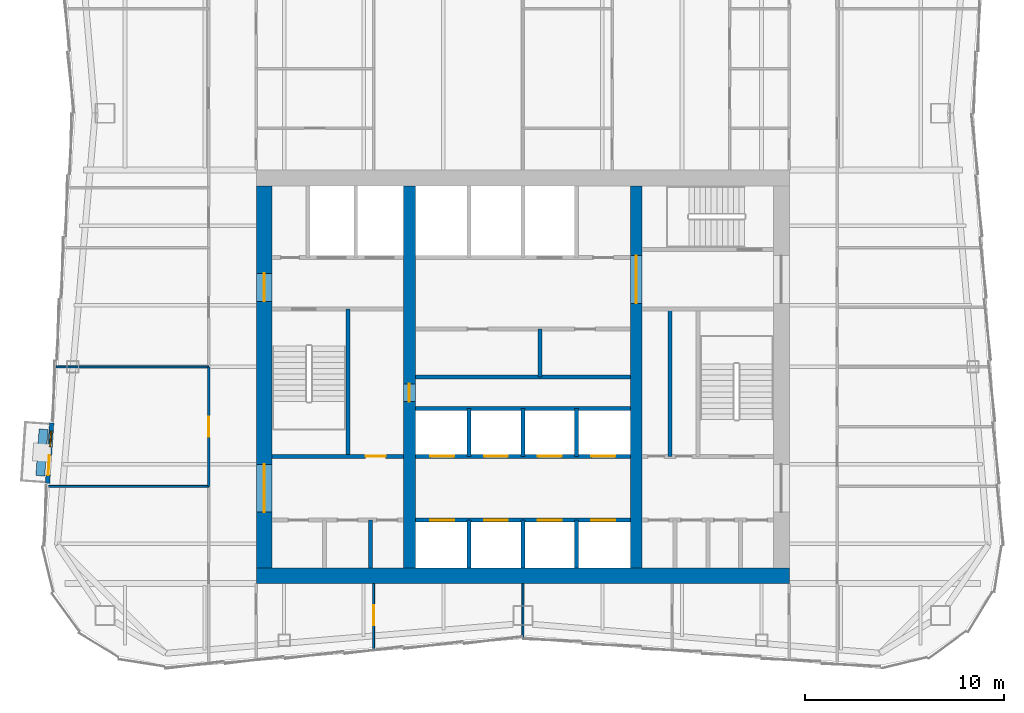
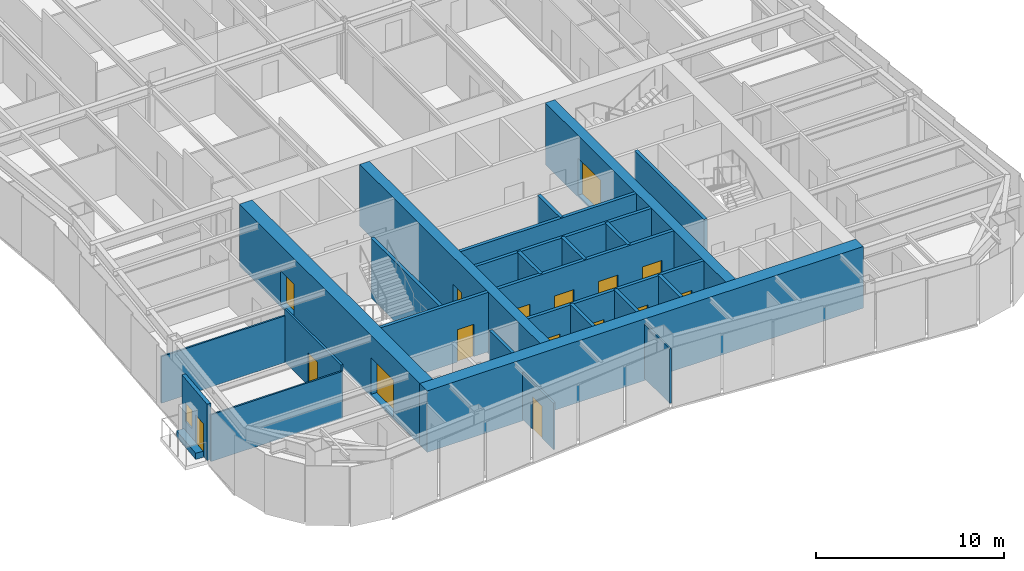
# One storey, part 6 of 12: 26 walls, 16 doors, 1 window, 17 openings.
"""IFC4 building model written with IfcOpenShell, lengths in metres."""

from ifc_helpers import new_model, si_unit, direction, frame, frame_2d, origin, place, context, subcontext, project, spatial, rectangle, extrude, material, layer, layer_set, type_object, element, fill, save


model = new_model("IFC4")

# Units and contexts
model_context = context("Model", 3, precision=1e-05, world=origin(), true_north=direction((0.0, 1.0)))
body_context = subcontext(model_context, "Body", "Model", "MODEL_VIEW")
ifc_project = project(units=[si_unit("LENGTHUNIT", "METRE"), si_unit("AREAUNIT", "SQUARE_METRE"), si_unit("VOLUMEUNIT", "CUBIC_METRE"), si_unit("PLANEANGLEUNIT", "RADIAN"), si_unit("MASSUNIT", "GRAM", prefix="KILO")], contexts=[model_context])

# Site, building, storey
site_placement = place(None, origin())
site = spatial("IfcSite", under=ifc_project, at=site_placement, CompositionType="ELEMENT")
building_placement = place(site_placement, origin())
building = spatial("IfcBuilding", under=site, at=building_placement, Name="Verdant Reach Tower", CompositionType="ELEMENT")
storey_placement = place(building_placement, frame((0.0, 0.0, 270.0)))
storey = spatial("IfcBuildingStorey", under=building, at=storey_placement, Name="L62", CompositionType="ELEMENT", Elevation=270.0)

# Walls
ifc_material_1 = material(Name="Gypsum board on steel studs", Category="steel")
ifc_layer_1 = layer(ifc_material_1, 0.199951171875)
ifc_layer_set_1 = layer_set([ifc_layer_1], Name="CO-WALL-ROOM")
wall_type_1 = type_object("IfcWallType", Name="CO-WALL-ROOM", PredefinedType="PARTITIONING", material=ifc_layer_set_1)
wall_1_placement = place(storey_placement, frame((-5.39990234375, 28.0, 0.0), z_axis=(0.0, 0.0, 1.0), x_axis=(1.0, 0.0, 0.0)))
element("IfcWall", 1, at=wall_1_placement, inside=storey, type_object=wall_type_1, Name="Core partition, L62", PredefinedType="PARTITIONING", context=body_context, shape_type="SweptSolid", body=[
    extrude(rectangle(XDim=10.7998046875, YDim=0.199951171875, at=frame_2d((5.39990234375, 0.0))), origin(), (0.0, 0.0, 1.0), 3.8701171875),
])
wall_2_placement = place(storey_placement, frame((-7.64990234375, 18.39990234375, 0.0), z_axis=(0.0, 0.0, 1.0), x_axis=(0.0, 1.0, 0.0)))
element("IfcWall", 2, at=wall_2_placement, inside=storey, type_object=wall_type_1, Name="Core partition, L62", PredefinedType="PARTITIONING", context=body_context, shape_type="SweptSolid", body=[
    extrude(rectangle(XDim=2.400146484375, YDim=0.199951171875, at=frame_2d((1.2001953125, 0.0))), origin(), (0.0, 0.0, 1.0), 3.8701171875),
])
wall_3_placement = place(storey_placement, frame((0.864013671875, 28.0, 0.0), z_axis=(0.0, 0.0, 1.0), x_axis=(0.0, 1.0, 0.0)))
element("IfcWall", 3, at=wall_3_placement, inside=storey, type_object=wall_type_1, Name="Core partition, L62", PredefinedType="PARTITIONING", context=body_context, shape_type="SweptSolid", body=[
    extrude(rectangle(XDim=2.39990234375, YDim=0.199951171875, at=frame_2d((1.199951171875, 0.0))), origin(), (0.0, 0.0, 1.0), 3.8701171875),
])
wall_4_placement = place(storey_placement, frame((7.39990234375, 24.0, 0.0), z_axis=(0.0, 0.0, 1.0), x_axis=(0.0, 1.0, 0.0)))
element("IfcWall", 4, at=wall_4_placement, inside=storey, type_object=wall_type_1, Name="Core partition, L62", PredefinedType="PARTITIONING", context=body_context, shape_type="SweptSolid", body=[
    extrude(rectangle(XDim=7.39990234375, YDim=0.199951171875, at=frame_2d((3.699951171875, 0.0))), origin(), (0.0, 0.0, 1.0), 3.8701171875),
])

# Wall, openings, doors
ifc_material_2 = material(Name="Concrete C40/50", Category="concrete")
ifc_layer_2 = layer(ifc_material_2, 0.199951171875)
ifc_layer_set_2 = layer_set([ifc_layer_2], Name="CO-WALL-SHAFT")
wall_type_2 = type_object("IfcWallType", Name="CO-WALL-SHAFT", PredefinedType="PARTITIONING", material=ifc_layer_set_2)
wall_5_placement = place(storey_placement, frame((-5.39990234375, 20.800048828125, 0.0), z_axis=(0.0, 0.0, 1.0), x_axis=(1.0, 0.0, 0.0)))
wall_5 = element("IfcWall", 5, at=wall_5_placement, inside=storey, type_object=wall_type_2, Name="Lift shaft wall, L62", PredefinedType="PARTITIONING", context=body_context, shape_type="SweptSolid", body=[
    extrude(rectangle(XDim=10.7998046875, YDim=0.199951171875, at=frame_2d((5.39990234375, 0.0))), origin(), (0.0, 0.0, 1.0), 3.8701171875),
])
opening_1_placement = place(wall_5_placement, frame((0.75, 0.0, 0.0)))
opening_1 = element("IfcOpeningElement", 6, at=opening_1_placement, cuts=wall_5, Name="Opening LD-B1", PredefinedType="OPENING", context=body_context, shape_type="SweptSolid", body=[
    extrude(rectangle(XDim=1.199951171875, YDim=2.199951171875, at=frame_2d((0.60009765625, 1.10009765625))), frame((0.0, 0.10986328125, 0.0), z_axis=(0.0, -1.0, 0.0), x_axis=(1.0, 0.0, 0.0)), (0.0, 0.0, 1.0), 0.219970703125),
])
opening_2_placement = place(wall_5_placement, frame((3.449951171875, 0.0, 0.0)))
opening_2 = element("IfcOpeningElement", 7, at=opening_2_placement, cuts=wall_5, Name="Opening LD-B2", PredefinedType="OPENING", context=body_context, shape_type="SweptSolid", body=[
    extrude(rectangle(XDim=1.199951171875, YDim=2.199951171875, at=frame_2d((0.60009765625, 1.10009765625))), frame((0.0, 0.10986328125, 0.0), z_axis=(0.0, -1.0, 0.0), x_axis=(1.0, 0.0, 0.0)), (0.0, 0.0, 1.0), 0.219970703125),
])
opening_3_placement = place(wall_5_placement, frame((6.14990234375, 0.0, 0.0)))
opening_3 = element("IfcOpeningElement", 8, at=opening_3_placement, cuts=wall_5, Name="Opening LD-B3", PredefinedType="OPENING", context=body_context, shape_type="SweptSolid", body=[
    extrude(rectangle(XDim=1.199951171875, YDim=2.199951171875, at=frame_2d((0.60009765625, 1.10009765625))), frame((0.0, 0.10986328125, 0.0), z_axis=(0.0, -1.0, 0.0), x_axis=(1.0, 0.0, 0.0)), (0.0, 0.0, 1.0), 0.219970703125),
])
opening_4_placement = place(wall_5_placement, frame((8.85009765625, 0.0, 0.0)))
opening_4 = element("IfcOpeningElement", 9, at=opening_4_placement, cuts=wall_5, Name="Opening LD-B4", PredefinedType="OPENING", context=body_context, shape_type="SweptSolid", body=[
    extrude(rectangle(XDim=1.199951171875, YDim=2.199951171875, at=frame_2d((0.60009765625, 1.10009765625))), frame((0.0, 0.10986328125, 0.0), z_axis=(0.0, -1.0, 0.0), x_axis=(1.0, 0.0, 0.0)), (0.0, 0.0, 1.0), 0.219970703125),
])
ifc_material_3 = material(Name="Stainless steel", Category="steel")
door_type_1 = type_object("IfcDoorType", Name="CO-DOOR-LANDING", OperationType="SLIDING_TO_LEFT", PredefinedType="DOOR", material=ifc_material_3)
door_1_placement = place(opening_1_placement, origin())
door_1 = element("IfcDoor", 10, at=door_1_placement, inside=storey, type_object=door_type_1, Name="Landing door B1, L62", OperationType="SLIDING_TO_LEFT", OverallHeight=2.199951171875, OverallWidth=1.199951171875, PredefinedType="DOOR", context=body_context, shape_type="SweptSolid", body=[
    extrude(rectangle(XDim=1.199951171875, YDim=2.199951171875, at=frame_2d((0.60009765625, 1.10009765625))), frame((0.0, 0.02490234375, 0.0), z_axis=(0.0, -1.0, 0.0), x_axis=(1.0, 0.0, 0.0)), (0.0, 0.0, 1.0), 0.050048828125),
])
fill(opening_1, door_1)
door_2_placement = place(opening_2_placement, origin())
door_2 = element("IfcDoor", 11, at=door_2_placement, inside=storey, type_object=door_type_1, Name="Landing door B2, L62", OperationType="SLIDING_TO_LEFT", OverallHeight=2.199951171875, OverallWidth=1.199951171875, PredefinedType="DOOR", context=body_context, shape_type="SweptSolid", body=[
    extrude(rectangle(XDim=1.199951171875, YDim=2.199951171875, at=frame_2d((0.60009765625, 1.10009765625))), frame((0.0, 0.02490234375, 0.0), z_axis=(0.0, -1.0, 0.0), x_axis=(1.0, 0.0, 0.0)), (0.0, 0.0, 1.0), 0.050048828125),
])
fill(opening_2, door_2)
door_3_placement = place(opening_3_placement, origin())
door_3 = element("IfcDoor", 12, at=door_3_placement, inside=storey, type_object=door_type_1, Name="Landing door B3, L62", OperationType="SLIDING_TO_LEFT", OverallHeight=2.199951171875, OverallWidth=1.199951171875, PredefinedType="DOOR", context=body_context, shape_type="SweptSolid", body=[
    extrude(rectangle(XDim=1.199951171875, YDim=2.199951171875, at=frame_2d((0.60009765625, 1.10009765625))), frame((0.0, 0.02490234375, 0.0), z_axis=(0.0, -1.0, 0.0), x_axis=(1.0, 0.0, 0.0)), (0.0, 0.0, 1.0), 0.050048828125),
])
fill(opening_3, door_3)
door_4_placement = place(opening_4_placement, origin())
door_4 = element("IfcDoor", 13, at=door_4_placement, inside=storey, type_object=door_type_1, Name="Landing door B4, L62", OperationType="SLIDING_TO_LEFT", OverallHeight=2.199951171875, OverallWidth=1.199951171875, PredefinedType="DOOR", context=body_context, shape_type="SweptSolid", body=[
    extrude(rectangle(XDim=1.199951171875, YDim=2.199951171875, at=frame_2d((0.60009765625, 1.10009765625))), frame((0.0, 0.02490234375, 0.0), z_axis=(0.0, -1.0, 0.0), x_axis=(1.0, 0.0, 0.0)), (0.0, 0.0, 1.0), 0.050048828125),
])
fill(opening_4, door_4)

wall_6_placement = place(storey_placement, frame((-5.39990234375, 24.0, 0.0), z_axis=(0.0, 0.0, 1.0), x_axis=(1.0, 0.0, 0.0)))
wall_6 = element("IfcWall", 14, at=wall_6_placement, inside=storey, type_object=wall_type_2, Name="Lift shaft wall, L62", PredefinedType="PARTITIONING", context=body_context, shape_type="SweptSolid", body=[
    extrude(rectangle(XDim=10.7998046875, YDim=0.199951171875, at=frame_2d((5.39990234375, 0.0))), origin(), (0.0, 0.0, 1.0), 3.8701171875),
])
opening_5_placement = place(wall_6_placement, frame((0.75, 0.0, 0.0)))
opening_5 = element("IfcOpeningElement", 15, at=opening_5_placement, cuts=wall_6, Name="Opening LD-A5", PredefinedType="OPENING", context=body_context, shape_type="SweptSolid", body=[
    extrude(rectangle(XDim=1.199951171875, YDim=2.199951171875, at=frame_2d((0.60009765625, 1.10009765625))), frame((0.0, 0.10986328125, 0.0), z_axis=(0.0, -1.0, 0.0), x_axis=(1.0, 0.0, 0.0)), (0.0, 0.0, 1.0), 0.219970703125),
])
opening_6_placement = place(wall_6_placement, frame((3.449951171875, 0.0, 0.0)))
opening_6 = element("IfcOpeningElement", 16, at=opening_6_placement, cuts=wall_6, Name="Opening LD-A6", PredefinedType="OPENING", context=body_context, shape_type="SweptSolid", body=[
    extrude(rectangle(XDim=1.199951171875, YDim=2.199951171875, at=frame_2d((0.60009765625, 1.10009765625))), frame((0.0, 0.10986328125, 0.0), z_axis=(0.0, -1.0, 0.0), x_axis=(1.0, 0.0, 0.0)), (0.0, 0.0, 1.0), 0.219970703125),
])
opening_7_placement = place(wall_6_placement, frame((6.14990234375, 0.0, 0.0)))
opening_7 = element("IfcOpeningElement", 17, at=opening_7_placement, cuts=wall_6, Name="Opening LD-A7", PredefinedType="OPENING", context=body_context, shape_type="SweptSolid", body=[
    extrude(rectangle(XDim=1.199951171875, YDim=2.199951171875, at=frame_2d((0.60009765625, 1.10009765625))), frame((0.0, 0.10986328125, 0.0), z_axis=(0.0, -1.0, 0.0), x_axis=(1.0, 0.0, 0.0)), (0.0, 0.0, 1.0), 0.219970703125),
])
opening_8_placement = place(wall_6_placement, frame((8.85009765625, 0.0, 0.0)))
opening_8 = element("IfcOpeningElement", 18, at=opening_8_placement, cuts=wall_6, Name="Opening LD-A8", PredefinedType="OPENING", context=body_context, shape_type="SweptSolid", body=[
    extrude(rectangle(XDim=1.199951171875, YDim=2.199951171875, at=frame_2d((0.60009765625, 1.10009765625))), frame((0.0, 0.10986328125, 0.0), z_axis=(0.0, -1.0, 0.0), x_axis=(1.0, 0.0, 0.0)), (0.0, 0.0, 1.0), 0.219970703125),
])
door_5_placement = place(opening_5_placement, origin())
door_5 = element("IfcDoor", 19, at=door_5_placement, inside=storey, type_object=door_type_1, Name="Landing door A5, L62", OperationType="SLIDING_TO_LEFT", OverallHeight=2.199951171875, OverallWidth=1.199951171875, PredefinedType="DOOR", context=body_context, shape_type="SweptSolid", body=[
    extrude(rectangle(XDim=1.199951171875, YDim=2.199951171875, at=frame_2d((0.60009765625, 1.10009765625))), frame((0.0, 0.02490234375, 0.0), z_axis=(0.0, -1.0, 0.0), x_axis=(1.0, 0.0, 0.0)), (0.0, 0.0, 1.0), 0.050048828125),
])
fill(opening_5, door_5)
door_6_placement = place(opening_6_placement, origin())
door_6 = element("IfcDoor", 20, at=door_6_placement, inside=storey, type_object=door_type_1, Name="Landing door A6, L62", OperationType="SLIDING_TO_LEFT", OverallHeight=2.199951171875, OverallWidth=1.199951171875, PredefinedType="DOOR", context=body_context, shape_type="SweptSolid", body=[
    extrude(rectangle(XDim=1.199951171875, YDim=2.199951171875, at=frame_2d((0.60009765625, 1.10009765625))), frame((0.0, 0.02490234375, 0.0), z_axis=(0.0, -1.0, 0.0), x_axis=(1.0, 0.0, 0.0)), (0.0, 0.0, 1.0), 0.050048828125),
])
fill(opening_6, door_6)
door_7_placement = place(opening_7_placement, origin())
door_7 = element("IfcDoor", 21, at=door_7_placement, inside=storey, type_object=door_type_1, Name="Landing door A7, L62", OperationType="SLIDING_TO_LEFT", OverallHeight=2.199951171875, OverallWidth=1.199951171875, PredefinedType="DOOR", context=body_context, shape_type="SweptSolid", body=[
    extrude(rectangle(XDim=1.199951171875, YDim=2.199951171875, at=frame_2d((0.60009765625, 1.10009765625))), frame((0.0, 0.02490234375, 0.0), z_axis=(0.0, -1.0, 0.0), x_axis=(1.0, 0.0, 0.0)), (0.0, 0.0, 1.0), 0.050048828125),
])
fill(opening_7, door_7)
door_8_placement = place(opening_8_placement, origin())
door_8 = element("IfcDoor", 22, at=door_8_placement, inside=storey, type_object=door_type_1, Name="Landing door A8, L62", OperationType="SLIDING_TO_LEFT", OverallHeight=2.199951171875, OverallWidth=1.199951171875, PredefinedType="DOOR", context=body_context, shape_type="SweptSolid", body=[
    extrude(rectangle(XDim=1.199951171875, YDim=2.199951171875, at=frame_2d((0.60009765625, 1.10009765625))), frame((0.0, 0.02490234375, 0.0), z_axis=(0.0, -1.0, 0.0), x_axis=(1.0, 0.0, 0.0)), (0.0, 0.0, 1.0), 0.050048828125),
])
fill(opening_8, door_8)

# Walls
wall_7_placement = place(storey_placement, frame((-5.39990234375, 26.39990234375, 0.0), z_axis=(0.0, 0.0, 1.0), x_axis=(1.0, 0.0, 0.0)))
element("IfcWall", 23, at=wall_7_placement, inside=storey, type_object=wall_type_2, Name="Lift shaft wall, L62", PredefinedType="PARTITIONING", context=body_context, shape_type="SweptSolid", body=[
    extrude(rectangle(XDim=10.7998046875, YDim=0.199951171875, at=frame_2d((5.39990234375, 0.0))), origin(), (0.0, 0.0, 1.0), 3.8701171875),
])
wall_8_placement = place(storey_placement, frame((-2.699951171875, 18.39990234375, 0.0), z_axis=(0.0, 0.0, 1.0), x_axis=(0.0, 1.0, 0.0)))
element("IfcWall", 24, at=wall_8_placement, inside=storey, type_object=wall_type_2, Name="Lift shaft wall, L62", PredefinedType="PARTITIONING", context=body_context, shape_type="SweptSolid", body=[
    extrude(rectangle(XDim=2.400146484375, YDim=0.199951171875, at=frame_2d((1.2001953125, 0.0))), origin(), (0.0, 0.0, 1.0), 3.8701171875),
])
wall_9_placement = place(storey_placement, frame((-2.699951171875, 24.0, 0.0), z_axis=(0.0, 0.0, 1.0), x_axis=(0.0, 1.0, 0.0)))
element("IfcWall", 25, at=wall_9_placement, inside=storey, type_object=wall_type_2, Name="Lift shaft wall, L62", PredefinedType="PARTITIONING", context=body_context, shape_type="SweptSolid", body=[
    extrude(rectangle(XDim=2.39990234375, YDim=0.199951171875, at=frame_2d((1.199951171875, 0.0))), origin(), (0.0, 0.0, 1.0), 3.8701171875),
])
wall_10_placement = place(storey_placement, frame((0.0, 18.39990234375, 0.0), z_axis=(0.0, 0.0, 1.0), x_axis=(0.0, 1.0, 0.0)))
element("IfcWall", 26, at=wall_10_placement, inside=storey, type_object=wall_type_2, Name="Lift shaft wall, L62", PredefinedType="PARTITIONING", context=body_context, shape_type="SweptSolid", body=[
    extrude(rectangle(XDim=2.400146484375, YDim=0.199951171875, at=frame_2d((1.2001953125, 0.0))), origin(), (0.0, 0.0, 1.0), 3.8701171875),
])
wall_11_placement = place(storey_placement, frame((0.0, 24.0, 0.0), z_axis=(0.0, 0.0, 1.0), x_axis=(0.0, 1.0, 0.0)))
element("IfcWall", 27, at=wall_11_placement, inside=storey, type_object=wall_type_2, Name="Lift shaft wall, L62", PredefinedType="PARTITIONING", context=body_context, shape_type="SweptSolid", body=[
    extrude(rectangle(XDim=2.39990234375, YDim=0.199951171875, at=frame_2d((1.199951171875, 0.0))), origin(), (0.0, 0.0, 1.0), 3.8701171875),
])
wall_12_placement = place(storey_placement, frame((2.699951171875, 18.39990234375, 0.0), z_axis=(0.0, 0.0, 1.0), x_axis=(0.0, 1.0, 0.0)))
element("IfcWall", 28, at=wall_12_placement, inside=storey, type_object=wall_type_2, Name="Lift shaft wall, L62", PredefinedType="PARTITIONING", context=body_context, shape_type="SweptSolid", body=[
    extrude(rectangle(XDim=2.400146484375, YDim=0.199951171875, at=frame_2d((1.2001953125, 0.0))), origin(), (0.0, 0.0, 1.0), 3.8701171875),
])
wall_13_placement = place(storey_placement, frame((2.699951171875, 24.0, 0.0), z_axis=(0.0, 0.0, 1.0), x_axis=(0.0, 1.0, 0.0)))
element("IfcWall", 29, at=wall_13_placement, inside=storey, type_object=wall_type_2, Name="Lift shaft wall, L62", PredefinedType="PARTITIONING", context=body_context, shape_type="SweptSolid", body=[
    extrude(rectangle(XDim=2.39990234375, YDim=0.199951171875, at=frame_2d((1.199951171875, 0.0))), origin(), (0.0, 0.0, 1.0), 3.8701171875),
])

# Wall, opening, door
ifc_layer_3 = layer(ifc_material_2, 0.199951171875)
ifc_layer_set_3 = layer_set([ifc_layer_3], Name="CO-WALL-STAIR")
wall_type_3 = type_object("IfcWallType", Name="CO-WALL-STAIR", PredefinedType="PARTITIONING", material=ifc_layer_set_3)
wall_14_placement = place(storey_placement, frame((-12.60009765625, 24.0, 0.0), z_axis=(0.0, 0.0, 1.0), x_axis=(1.0, 0.0, 0.0)))
wall_14 = element("IfcWall", 30, at=wall_14_placement, inside=storey, type_object=wall_type_3, Name="Stair enclosure wall, L62", PredefinedType="PARTITIONING", context=body_context, shape_type="SweptSolid", body=[
    extrude(rectangle(XDim=6.60009765625, YDim=0.199951171875, at=frame_2d((3.300048828125, 0.0))), origin(), (0.0, 0.0, 1.0), 3.8701171875),
])
opening_9_placement = place(wall_14_placement, frame((4.699951171875, 0.0, 0.0)))
opening_9 = element("IfcOpeningElement", 31, at=opening_9_placement, cuts=wall_14, Name="Opening CD", PredefinedType="OPENING", context=body_context, shape_type="SweptSolid", body=[
    extrude(rectangle(XDim=1.0, YDim=2.10009765625, at=frame_2d((0.5, 1.050048828125))), frame((0.0, 0.10986328125, 0.0), z_axis=(0.0, -1.0, 0.0), x_axis=(1.0, 0.0, 0.0)), (0.0, 0.0, 1.0), 0.219970703125),
])
ifc_material_4 = material(Name="Timber", Category="wood")
door_type_2 = type_object("IfcDoorType", Name="CO-DOOR-ROOM", OperationType="NOTDEFINED", PredefinedType="DOOR", material=ifc_material_4)
door_9_placement = place(opening_9_placement, origin())
door_9 = element("IfcDoor", 32, at=door_9_placement, inside=storey, type_object=door_type_2, Name="Core room door, L62", OperationType="SINGLE_SWING_LEFT", OverallHeight=2.10009765625, OverallWidth=1.0, PredefinedType="DOOR", context=body_context, shape_type="SweptSolid", body=[
    extrude(rectangle(XDim=1.0, YDim=2.10009765625, at=frame_2d((0.5, 1.050048828125))), frame((0.0, 0.02490234375, 0.0), z_axis=(0.0, -1.0, 0.0), x_axis=(1.0, 0.0, 0.0)), (0.0, 0.0, 1.0), 0.050048828125),
])
fill(opening_9, door_9)

# Wall
wall_15_placement = place(storey_placement, frame((-8.800048828125, 24.0, 0.0), z_axis=(0.0, 0.0, 1.0), x_axis=(0.0, 1.0, 0.0)))
element("IfcWall", 33, at=wall_15_placement, inside=storey, type_object=wall_type_3, Name="Stair enclosure wall, L62", PredefinedType="PARTITIONING", context=body_context, shape_type="SweptSolid", body=[
    extrude(rectangle(XDim=7.39990234375, YDim=0.199951171875, at=frame_2d((3.699951171875, 0.0))), origin(), (0.0, 0.0, 1.0), 3.8701171875),
])

# Wall, openings, door, window
ifc_material_5 = material(Name="Insulated bronze aluminium panel wall", Category="aluminium")
ifc_layer_4 = layer(ifc_material_5, 0.219970703125)
ifc_layer_set_4 = layer_set([ifc_layer_4], Name="EN-INFILL WALL")
wall_type_4 = type_object("IfcWallType", Name="EN-INFILL WALL", PredefinedType="SOLIDWALL", material=ifc_layer_set_4)
wall_16_placement = place(storey_placement, frame((-23.685546875, 25.68798828125, 0.0), z_axis=(0.0, 0.0, 1.0), x_axis=(-0.06875808698, -0.99763336225, 0.0)))
wall_16 = element("IfcWall", 34, at=wall_16_placement, inside=storey, type_object=wall_type_4, Name="External infill wall, balcony bay 1, L62", PredefinedType="SOLIDWALL", context=body_context, shape_type="SweptSolid", body=[
    extrude(rectangle(XDim=3.046630859375, YDim=0.22412109375, at=frame_2d((1.5234375, 0.0))), origin(), (0.0, 0.0, 1.0), 3.64990234375),
])
opening_10_placement = place(wall_16_placement, frame((1.631103515625, 0.0, 0.0)))
opening_10 = element("IfcOpeningElement", 35, at=opening_10_placement, cuts=wall_16, Name="Opening BD1", PredefinedType="OPENING", context=body_context, shape_type="SweptSolid", body=[
    extrude(rectangle(XDim=1.0, YDim=2.10009765625, at=frame_2d((0.5, 1.050048828125))), frame((0.0, 0.1220703125, 0.0), z_axis=(0.0, -1.0, 0.0), x_axis=(1.0, 0.0, 0.0)), (0.0, 0.0, 1.0), 0.244140625),
])
opening_11_placement = place(wall_16_placement, frame((0.41552734375, 0.0, 0.89990234375)))
opening_11 = element("IfcOpeningElement", 36, at=opening_11_placement, cuts=wall_16, Name="Opening BW1", PredefinedType="OPENING", context=body_context, shape_type="SweptSolid", body=[
    extrude(rectangle(XDim=0.800048828125, YDim=1.199951171875, at=frame_2d((0.39990234375, 0.60009765625))), frame((0.0, 0.1220703125, 0.0), z_axis=(0.0, -1.0, 0.0), x_axis=(1.0, 0.0, 0.0)), (0.0, 0.0, 1.0), 0.244140625),
])
ifc_material_6 = material(Name="Aluminium framed glazed door", Category="aluminium")
door_type_3 = type_object("IfcDoorType", Name="EN-DOOR BALCONY", OperationType="NOTDEFINED", PredefinedType="DOOR", material=ifc_material_6)
door_10_placement = place(opening_10_placement, origin())
door_10 = element("IfcDoor", 37, at=door_10_placement, inside=storey, type_object=door_type_3, Name="Balcony door 1, L62", OperationType="SINGLE_SWING_RIGHT", OverallHeight=2.10009765625, OverallWidth=1.0, PredefinedType="DOOR", context=body_context, shape_type="SweptSolid", body=[
    extrude(rectangle(XDim=1.0, YDim=2.10009765625, at=frame_2d((0.5, 1.050048828125))), frame((0.0, 0.02490234375, 0.0), z_axis=(0.0, -1.0, 0.0), x_axis=(1.0, 0.0, 0.0)), (0.0, 0.0, 1.0), 0.050048828125),
])
fill(opening_10, door_10)
ifc_material_7 = material(Name="Aluminium framed glazing", Category="aluminium")
window_type = type_object("IfcWindowType", Name="EN-WINDOW BALCONY", PartitioningType="SINGLE_PANEL", PredefinedType="WINDOW", material=ifc_material_7)
window_placement = place(opening_11_placement, origin())
window = element("IfcWindow", 38, at=window_placement, inside=storey, type_object=window_type, Name="Balcony window 1, L62", OverallHeight=1.199951171875, OverallWidth=0.800048828125, PartitioningType="SINGLE_PANEL", PredefinedType="WINDOW", context=body_context, shape_type="SweptSolid", body=[
    extrude(rectangle(XDim=0.800048828125, YDim=1.199951171875, at=frame_2d((0.39990234375, 0.60009765625))), frame((0.0, 0.030029296875, 0.0), z_axis=(0.0, -1.0, 0.0), x_axis=(1.0, 0.0, 0.0)), (0.0, 0.0, 1.0), 0.06005859375),
])
fill(opening_11, window)

# Walls
ifc_material_8 = material(Name="Precast concrete C30/37", Category="concrete")
ifc_layer_5 = layer(ifc_material_8, 0.449951171875)
ifc_layer_set_5 = layer_set([ifc_layer_5], Name="EN-PLANTER")
wall_type_5 = type_object("IfcWallType", Name="EN-PLANTER", PredefinedType="USERDEFINED", material=ifc_layer_set_5)
wall_17_placement = place(storey_placement, frame((-24.095703125, 25.365478515625, 0.0), z_axis=(0.0, 0.0, 1.0), x_axis=(-0.06877709495, -0.997632052016, 0.0)))
element("IfcWall", 39, at=wall_17_placement, inside=storey, type_object=wall_type_5, Name="Balcony planter 1, L62", ObjectType="PLANTER", PredefinedType="USERDEFINED", context=body_context, shape_type="SweptSolid", body=[
    extrude(rectangle(XDim=2.346435546875, YDim=0.449951171875, at=frame_2d((1.17333984375, 0.0))), origin(), (0.0, 0.0, 1.0), 0.39990234375),
])
ifc_layer_6 = layer(ifc_material_1, 0.10009765625)
ifc_layer_set_6 = layer_set([ifc_layer_6], Name="FL-W1 Partition 100")
wall_type_6 = type_object("IfcWallType", Name="FL-W1 Partition 100", PredefinedType="PARTITIONING", material=ifc_layer_set_6)
wall_18_placement = place(storey_placement, frame((-15.800048828125, 22.5, 0.0), z_axis=(0.0, 0.0, 1.0), x_axis=(-1.0, 0.0, 0.0)))
element("IfcWall", 40, at=wall_18_placement, inside=storey, type_object=wall_type_6, Name="Partition 62.41", PredefinedType="PARTITIONING", context=body_context, shape_type="SweptSolid", body=[
    extrude(rectangle(XDim=8.072998046875, YDim=0.10009765625, at=frame_2d((4.03662109375, 0.0))), origin(), (0.0, 0.0, 1.0), 3.0400390625),
])
wall_19_placement = place(storey_placement, frame((-15.800048828125, 28.5, 0.0), z_axis=(0.0, 0.0, 1.0), x_axis=(-1.0, 0.0, 0.0)))
element("IfcWall", 41, at=wall_19_placement, inside=storey, type_object=wall_type_6, Name="Partition 62.42", PredefinedType="PARTITIONING", context=body_context, shape_type="SweptSolid", body=[
    extrude(rectangle(XDim=7.6591796875, YDim=0.10009765625, at=frame_2d((3.82958984375, 0.0))), origin(), (0.0, 0.0, 1.0), 3.0400390625),
])

# Wall, opening, door
wall_20_placement = place(storey_placement, frame((-7.5, 17.60009765625, 0.0), z_axis=(0.0, 0.0, 1.0), x_axis=(0.0, -1.0, 0.0)))
wall_20 = element("IfcWall", 42, at=wall_20_placement, inside=storey, type_object=wall_type_6, Name="Partition 62.56", PredefinedType="PARTITIONING", context=body_context, shape_type="SweptSolid", body=[
    extrude(rectangle(XDim=3.30517578125, YDim=0.10009765625, at=frame_2d((1.652587890625, 0.0))), origin(), (0.0, 0.0, 1.0), 3.0400390625),
])
opening_12_placement = place(wall_20_placement, frame((1.08740234375, 0.0, 0.0)))
opening_12 = element("IfcOpeningElement", 43, at=opening_12_placement, cuts=wall_20, Name="Opening D3", PredefinedType="OPENING", context=body_context, shape_type="SweptSolid", body=[
    extrude(rectangle(XDim=1.0, YDim=2.10009765625, at=frame_2d((0.5, 1.050048828125))), frame((0.0, 0.06005859375, 0.0), z_axis=(0.0, -1.0, 0.0), x_axis=(1.0, 0.0, 0.0)), (0.0, 0.0, 1.0), 0.1201171875),
])
ifc_material_9 = material(Name="Painted timber door leaf", Category="wood")
door_type_4 = type_object("IfcDoorType", Name="FL-D3 Door 1000x2100", OperationType="NOTDEFINED", PredefinedType="DOOR", material=ifc_material_9)
door_11_placement = place(opening_12_placement, origin())
door_11 = element("IfcDoor", 44, at=door_11_placement, inside=storey, type_object=door_type_4, Name="Door 62-031", OperationType="SINGLE_SWING_LEFT", OverallHeight=2.10009765625, OverallWidth=1.0, PredefinedType="DOOR", context=body_context, shape_type="SweptSolid", body=[
    extrude(rectangle(XDim=1.0, YDim=2.10009765625, at=frame_2d((0.5, 1.050048828125))), frame((0.0, 0.02490234375, 0.0), z_axis=(0.0, -1.0, 0.0), x_axis=(1.0, 0.0, 0.0)), (0.0, 0.0, 1.0), 0.050048828125),
])
fill(opening_12, door_11)

# Wall
wall_21_placement = place(storey_placement, frame((0.0, 14.919921875, 0.0), z_axis=(0.0, 0.0, 1.0), x_axis=(0.0, 1.0, 0.0)))
element("IfcWall", 45, at=wall_21_placement, inside=storey, type_object=wall_type_6, Name="Partition 62.57", PredefinedType="PARTITIONING", context=body_context, shape_type="SweptSolid", body=[
    extrude(rectangle(XDim=2.68017578125, YDim=0.10009765625, at=frame_2d((1.340087890625, 0.0))), origin(), (0.0, 0.0, 1.0), 3.5400390625),
])

# Wall, opening, door
ifc_material_10 = material(Name="Gypsum board on steel studs, fire rated", Category="steel")
ifc_layer_7 = layer(ifc_material_10, 0.125)
ifc_layer_set_7 = layer_set([ifc_layer_7], Name="FL-W2 Corridor wall 125")
wall_type_7 = type_object("IfcWallType", Name="FL-W2 Corridor wall 125", PredefinedType="PARTITIONING", material=ifc_layer_set_7)
wall_22_placement = place(storey_placement, frame((-15.800048828125, 22.5, 0.0), z_axis=(0.0, 0.0, 1.0), x_axis=(0.0, 1.0, 0.0)))
wall_22 = element("IfcWall", 46, at=wall_22_placement, inside=storey, type_object=wall_type_7, Name="Partition 62.02", PredefinedType="PARTITIONING", context=body_context, shape_type="SweptSolid", body=[
    extrude(rectangle(XDim=6.0, YDim=0.125, at=frame_2d((3.0, 0.0))), origin(), (0.0, 0.0, 1.0), 3.43994140625),
])
opening_13_placement = place(wall_22_placement, frame((2.5, 0.0, 0.0)))
opening_13 = element("IfcOpeningElement", 47, at=opening_13_placement, cuts=wall_22, Name="Opening D2", PredefinedType="OPENING", context=body_context, shape_type="SweptSolid", body=[
    extrude(rectangle(XDim=1.0, YDim=2.10009765625, at=frame_2d((0.5, 1.050048828125))), frame((0.0, 0.072509765625, 0.0), z_axis=(0.0, -1.0, 0.0), x_axis=(1.0, 0.0, 0.0)), (0.0, 0.0, 1.0), 0.14501953125),
])
ifc_material_11 = material(Name="Timber door leaf, fire rated", Category="wood")
door_type_5 = type_object("IfcDoorType", Name="FL-D2 Entrance door 1000x2100 FD30", OperationType="NOTDEFINED", PredefinedType="DOOR", material=ifc_material_11)
door_12_placement = place(opening_13_placement, origin())
door_12 = element("IfcDoor", 48, at=door_12_placement, inside=storey, type_object=door_type_5, Name="Door 62-002", OperationType="SINGLE_SWING_RIGHT", OverallHeight=2.10009765625, OverallWidth=1.0, PredefinedType="DOOR", context=body_context, shape_type="SweptSolid", body=[
    extrude(rectangle(XDim=1.0, YDim=2.10009765625, at=frame_2d((0.5, 1.050048828125))), frame((0.0, 0.02490234375, 0.0), z_axis=(0.0, -1.0, 0.0), x_axis=(1.0, 0.0, 0.0)), (0.0, 0.0, 1.0), 0.050048828125),
])
fill(opening_13, door_12)

ifc_material_12 = material(Name="Concrete C70/85", Category="concrete")
ifc_layer_8 = layer(ifc_material_12, 0.60009765625)
ifc_layer_set_8 = layer_set([ifc_layer_8], Name="ST-CORE-WALL-600")
wall_type_8 = type_object("IfcWallType", Name="ST-CORE-WALL-600", PredefinedType="SHEAR", material=ifc_layer_set_8)
wall_23_placement = place(storey_placement, frame((-5.699951171875, 18.39990234375, -0.1298828125), z_axis=(0.0, 0.0, 1.0), x_axis=(0.0, 1.0, 0.0)))
wall_23 = element("IfcWall", 49, at=wall_23_placement, inside=storey, type_object=wall_type_8, Name="Core wall XW, L62", PredefinedType="SHEAR", context=body_context, shape_type="SweptSolid", body=[
    extrude(rectangle(XDim=19.2001953125, YDim=0.60009765625, at=frame_2d((9.60009765625, 0.0))), origin(), (0.0, 0.0, 1.0), 4.0),
])
opening_14_placement = place(wall_23_placement, frame((8.35009765625, 0.0, 0.1298828125)))
opening_14 = element("IfcOpeningElement", 50, at=opening_14_placement, cuts=wall_23, Name="Opening RD", PredefinedType="OPENING", context=body_context, shape_type="SweptSolid", body=[
    extrude(rectangle(XDim=0.89990234375, YDim=2.10009765625, at=frame_2d((0.449951171875, 1.050048828125))), frame((0.0, 0.31005859375, 0.0), z_axis=(0.0, -1.0, 0.0), x_axis=(1.0, 0.0, 0.0)), (0.0, 0.0, 1.0), 0.6201171875),
])
ifc_material_13 = material(Name="Steel", Category="steel")
door_type_6 = type_object("IfcDoorType", Name="CO-DOOR-RISER", OperationType="NOTDEFINED", PredefinedType="DOOR", material=ifc_material_13)
door_13_placement = place(opening_14_placement, origin())
door_13 = element("IfcDoor", 51, at=door_13_placement, inside=storey, type_object=door_type_6, Name="Riser door, L62", OperationType="SINGLE_SWING_RIGHT", OverallHeight=2.10009765625, OverallWidth=0.89990234375, PredefinedType="DOOR", context=body_context, shape_type="SweptSolid", body=[
    extrude(rectangle(XDim=0.89990234375, YDim=2.10009765625, at=frame_2d((0.449951171875, 1.050048828125))), frame((0.0, 0.02490234375, 0.0), z_axis=(0.0, -1.0, 0.0), x_axis=(1.0, 0.0, 0.0)), (0.0, 0.0, 1.0), 0.050048828125),
])
fill(opening_14, door_13)

wall_24_placement = place(storey_placement, frame((5.699951171875, 18.39990234375, -0.1298828125), z_axis=(0.0, 0.0, 1.0), x_axis=(0.0, 1.0, 0.0)))
wall_24 = element("IfcWall", 52, at=wall_24_placement, inside=storey, type_object=wall_type_8, Name="Core wall XE, L62", PredefinedType="SHEAR", context=body_context, shape_type="SweptSolid", body=[
    extrude(rectangle(XDim=19.2001953125, YDim=0.60009765625, at=frame_2d((9.60009765625, 0.0))), origin(), (0.0, 0.0, 1.0), 4.0),
])
opening_15_placement = place(wall_24_placement, frame((13.300048828125, 0.0, 0.1298828125)))
opening_15 = element("IfcOpeningElement", 53, at=opening_15_placement, cuts=wall_24, Name="Opening LB", PredefinedType="OPENING", context=body_context, shape_type="SweptSolid", body=[
    extrude(rectangle(XDim=2.39990234375, YDim=2.39990234375, at=frame_2d((1.199951171875, 1.199951171875))), frame((0.0, 0.31005859375, 0.0), z_axis=(0.0, -1.0, 0.0), x_axis=(1.0, 0.0, 0.0)), (0.0, 0.0, 1.0), 0.6201171875),
])
ifc_material_14 = material(Name="Glass and steel", Category="steel")
door_type_7 = type_object("IfcDoorType", Name="CO-DOOR-LOBBY", OperationType="DOUBLE_DOOR_SINGLE_SWING", PredefinedType="DOOR", material=ifc_material_14)
door_14_placement = place(opening_15_placement, origin())
door_14 = element("IfcDoor", 54, at=door_14_placement, inside=storey, type_object=door_type_7, Name="Core entrance door, L62", OperationType="DOUBLE_DOOR_SINGLE_SWING", OverallHeight=2.39990234375, OverallWidth=2.39990234375, PredefinedType="DOOR", context=body_context, shape_type="SweptSolid", body=[
    extrude(rectangle(XDim=2.39990234375, YDim=2.39990234375, at=frame_2d((1.199951171875, 1.199951171875))), frame((0.0, 0.02490234375, 0.0), z_axis=(0.0, -1.0, 0.0), x_axis=(1.0, 0.0, 0.0)), (0.0, 0.0, 1.0), 0.050048828125),
])
fill(opening_15, door_14)

# Wall
ifc_layer_9 = layer(ifc_material_12, 0.800048828125)
ifc_layer_set_9 = layer_set([ifc_layer_9], Name="ST-CORE-WALL-800")
wall_type_9 = type_object("IfcWallType", Name="ST-CORE-WALL-800", PredefinedType="SHEAR", material=ifc_layer_set_9)
wall_25_placement = place(storey_placement, frame((-13.39990234375, 18.0, -0.1298828125), z_axis=(0.0, 0.0, 1.0), x_axis=(1.0, 0.0, 0.0)))
element("IfcWall", 55, at=wall_25_placement, inside=storey, type_object=wall_type_9, Name="Core wall S, L62", PredefinedType="SHEAR", context=body_context, shape_type="SweptSolid", body=[
    extrude(rectangle(XDim=26.7998046875, YDim=0.800048828125, at=frame_2d((13.39990234375, 0.0))), origin(), (0.0, 0.0, 1.0), 4.0),
])

# Wall, openings, doors
wall_26_placement = place(storey_placement, frame((-13.0, 18.39990234375, -0.1298828125), z_axis=(0.0, 0.0, 1.0), x_axis=(0.0, 1.0, 0.0)))
wall_26 = element("IfcWall", 56, at=wall_26_placement, inside=storey, type_object=wall_type_9, Name="Core wall W, L62", PredefinedType="SHEAR", context=body_context, shape_type="SweptSolid", body=[
    extrude(rectangle(XDim=19.2001953125, YDim=0.800048828125, at=frame_2d((9.60009765625, 0.0))), origin(), (0.0, 0.0, 1.0), 4.0),
])
opening_16_placement = place(wall_26_placement, frame((2.800048828125, 0.0, 0.1298828125)))
opening_16 = element("IfcOpeningElement", 57, at=opening_16_placement, cuts=wall_26, Name="Opening LB", PredefinedType="OPENING", context=body_context, shape_type="SweptSolid", body=[
    extrude(rectangle(XDim=2.39990234375, YDim=2.39990234375, at=frame_2d((1.199951171875, 1.199951171875))), frame((0.0, 0.409912109375, 0.0), z_axis=(0.0, -1.0, 0.0), x_axis=(1.0, 0.0, 0.0)), (0.0, 0.0, 1.0), 0.820068359375),
])
opening_17_placement = place(wall_26_placement, frame((13.39990234375, 0.0, 0.1298828125)))
opening_17 = element("IfcOpeningElement", 58, at=opening_17_placement, cuts=wall_26, Name="Opening FL", PredefinedType="OPENING", context=body_context, shape_type="SweptSolid", body=[
    extrude(rectangle(XDim=1.39990234375, YDim=2.199951171875, at=frame_2d((0.699951171875, 1.10009765625))), frame((0.0, 0.409912109375, 0.0), z_axis=(0.0, -1.0, 0.0), x_axis=(1.0, 0.0, 0.0)), (0.0, 0.0, 1.0), 0.820068359375),
])
door_type_8 = type_object("IfcDoorType", Name="CO-DOOR-FFL", OperationType="NOTDEFINED", PredefinedType="DOOR", material=ifc_material_13)
door_15_placement = place(opening_17_placement, origin())
door_15 = element("IfcDoor", 59, at=door_15_placement, inside=storey, type_object=door_type_8, Name="Core entrance door, L62", OperationType="SINGLE_SWING_RIGHT", OverallHeight=2.199951171875, OverallWidth=1.39990234375, PredefinedType="DOOR", context=body_context, shape_type="SweptSolid", body=[
    extrude(rectangle(XDim=1.39990234375, YDim=2.199951171875, at=frame_2d((0.699951171875, 1.10009765625))), frame((0.0, 0.02490234375, 0.0), z_axis=(0.0, -1.0, 0.0), x_axis=(1.0, 0.0, 0.0)), (0.0, 0.0, 1.0), 0.050048828125),
])
fill(opening_17, door_15)
door_16_placement = place(opening_16_placement, origin())
door_16 = element("IfcDoor", 60, at=door_16_placement, inside=storey, type_object=door_type_7, Name="Core entrance door, L62", OperationType="DOUBLE_DOOR_SINGLE_SWING", OverallHeight=2.39990234375, OverallWidth=2.39990234375, PredefinedType="DOOR", context=body_context, shape_type="SweptSolid", body=[
    extrude(rectangle(XDim=2.39990234375, YDim=2.39990234375, at=frame_2d((1.199951171875, 1.199951171875))), frame((0.0, 0.02490234375, 0.0), z_axis=(0.0, -1.0, 0.0), x_axis=(1.0, 0.0, 0.0)), (0.0, 0.0, 1.0), 0.050048828125),
])
fill(opening_16, door_16)

save(model, "model.ifc")
